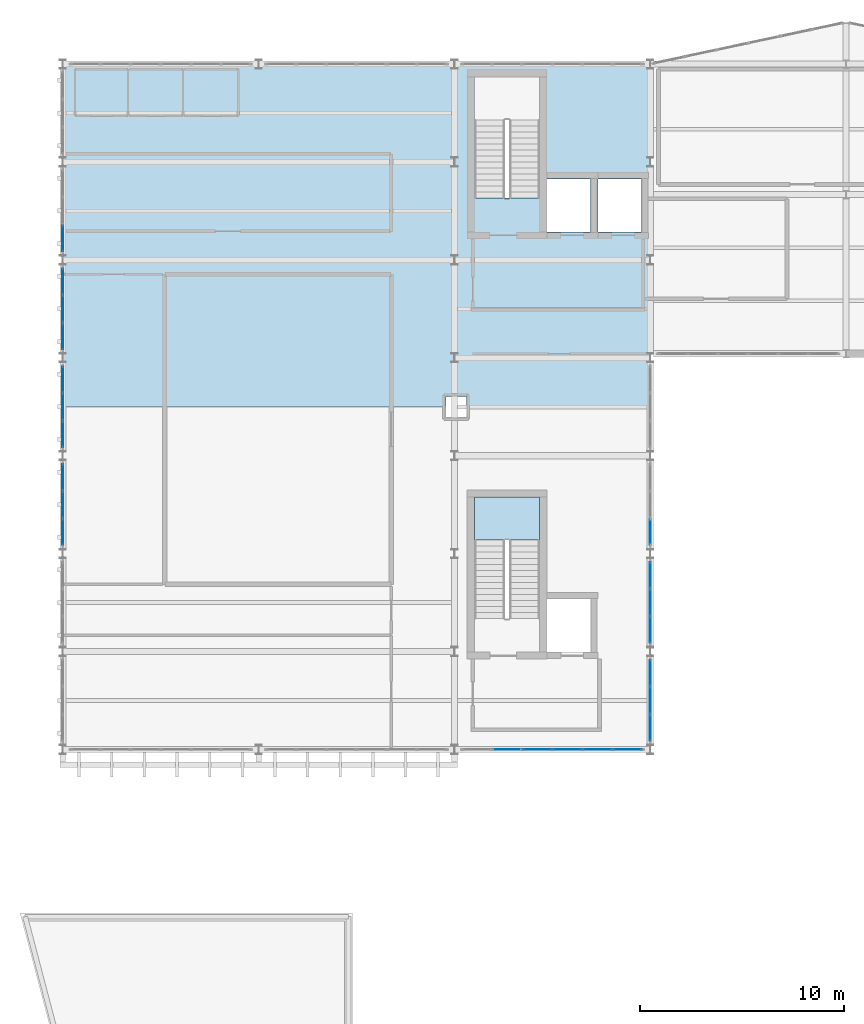
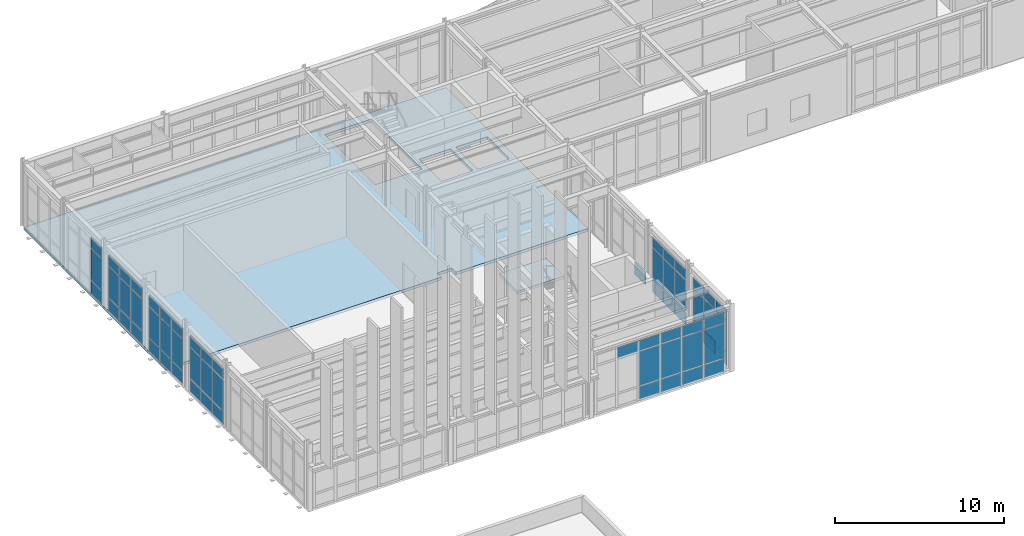
# One storey, part 17 of 28: 62 plates, 2 slabs, 9 elements without a shape of their own.
"""IFC4 building model written with IfcOpenShell, lengths in metres."""

import ifcopenshell
import ifcopenshell.guid

model = None  # the IFC model being written
_history = None  # IfcOwnerHistory: only IFC2X3 demands one
_inside = {}  # id of a spatial element -> (the spatial element, [elements in it])
_under = {}  # id of a project, library or spatial element -> (it, [spatial elements below it])
_declared = {}  # id of a project -> (the project, [libraries it declares])
_typed = {}  # id of a type object -> (the type object, [elements of that type])
_made_of = {}  # id of a material, layer set ... -> (it, [elements and type objects made of it])


def new_model(schema):
    """Start an empty IFC model of exactly this schema.

    Asked for "IFC4X3", IfcOpenShell would pick the latest addendum, in which some entities
    have other attributes; the version numbers below select the first issue.
    IFC2X3 requires an IfcOwnerHistory on every rooted entity: one is made here for all.
    """
    global model, _history
    if schema == "IFC4X3":
        model = ifcopenshell.file(schema_version=(4, 3, 0, 0))
    else:
        model = ifcopenshell.file(schema=schema)
    _inside.clear()
    _under.clear()
    _declared.clear()
    _typed.clear()
    _made_of.clear()
    _history = None
    if model.schema == "IFC2X3":
        org = make("IfcOrganization", Name="unknown")
        user = make(
            "IfcPersonAndOrganization",
            ThePerson=make("IfcPerson", FamilyName="unknown"),
            TheOrganization=org,
        )
        app = make(
            "IfcApplication",
            ApplicationDeveloper=org,
            Version="unknown",
            ApplicationFullName="unknown",
            ApplicationIdentifier="unknown",
        )
        _history = make(
            "IfcOwnerHistory",
            OwningUser=user,
            OwningApplication=app,
            ChangeAction="ADDED",
            CreationDate=0,
        )
    return model


def make(cls, **values):
    """One entity of the class cls with the attributes given. An attribute that is None is left unset."""
    return model.create_entity(
        cls, **{name: value for name, value in values.items() if value is not None}
    )


def rooted(cls, **values):
    """An entity with a GlobalId (a new one), such as an element, a storey or a relation."""
    return make(cls, GlobalId=ifcopenshell.guid.new(), OwnerHistory=_history, **values)


def si_unit(unit_type, name, prefix=None):
    """IfcSIUnit, for example si_unit("LENGTHUNIT", "METRE", prefix="MILLI")."""
    return make("IfcSIUnit", UnitType=unit_type, Prefix=prefix, Name=name)


def assignment(units):
    """IfcUnitAssignment: the units of a project."""
    return None if units is None else make("IfcUnitAssignment", Units=units)


def point(xyz):
    """IfcCartesianPoint."""
    return None if xyz is None else make("IfcCartesianPoint", Coordinates=xyz)


def direction(xyz):
    """IfcDirection."""
    return None if xyz is None else make("IfcDirection", DirectionRatios=xyz)


def frame(location, z_axis=None, x_axis=None):
    """IfcAxis2Placement3D, a coordinate frame: its origin and axes. An axis left out is left unset."""
    return make(
        "IfcAxis2Placement3D",
        Location=point(location),
        Axis=direction(z_axis),
        RefDirection=direction(x_axis),
    )


def frame_2d(location, x_axis=None):
    """IfcAxis2Placement2D, a coordinate frame in the plane: its origin and x axis."""
    return make(
        "IfcAxis2Placement2D", Location=point(location), RefDirection=direction(x_axis)
    )


def origin():
    """The frame at (0, 0, 0) with its axes left unset."""
    return frame((0.0, 0.0, 0.0))


def origin_2d():
    """The frame at (0, 0) in the plane with its x axis left unset."""
    return frame_2d((0.0, 0.0))


def place(relative_to, where):
    """IfcLocalPlacement: puts the frame where relative to a parent placement (None: the world)."""
    return make(
        "IfcLocalPlacement", PlacementRelTo=relative_to, RelativePlacement=where
    )


def context(
    kind, dimensions, precision=None, world=None, true_north=None, identifier=None
):
    """IfcGeometricRepresentationContext, for example the 3D "Model" context."""
    return make(
        "IfcGeometricRepresentationContext",
        ContextIdentifier=identifier,
        ContextType=kind,
        CoordinateSpaceDimension=dimensions,
        Precision=precision,
        WorldCoordinateSystem=world,
        TrueNorth=true_north,
    )


def subcontext(parent, identifier, kind, view, scale=None):
    """IfcGeometricRepresentationSubContext, for example "Body" below "Model"."""
    return make(
        "IfcGeometricRepresentationSubContext",
        ContextIdentifier=identifier,
        ContextType=kind,
        ParentContext=parent,
        TargetScale=scale,
        TargetView=view,
    )


def project(units=None, contexts=None):
    """IfcProject with its units and contexts."""
    return rooted(
        "IfcProject",
        Name="project",
        RepresentationContexts=contexts,
        UnitsInContext=assignment(units),
    )


def spatial(cls, under=None, at=None, **own):
    """A site, building, storey or space (cls), placed at a placement, below another one or the project."""
    s = rooted(cls, ObjectPlacement=at, **own)
    if under is not None:
        _under.setdefault(under.id(), (under, []))[1].append(s)
    return s


def polyline(points):
    """IfcPolyline through the points."""
    return make("IfcPolyline", Points=[point(p) for p in points])


def profile(cls, at=None, kind="AREA", **sizes):
    """A parametric profile (cls). Its sizes go by their IFC names, for example OverallWidth=200.0."""
    return make(cls, ProfileType=kind, Position=at, **sizes)


def rectangle(**sizes):
    """IfcRectangleProfileDef."""
    return profile("IfcRectangleProfileDef", **sizes)


def outline(outer, holes=None, kind="AREA"):
    """IfcArbitraryClosedProfileDef: a profile drawn as a closed curve; with holes, ...WithVoids."""
    if holes is None:
        return make("IfcArbitraryClosedProfileDef", ProfileType=kind, OuterCurve=outer)
    return make(
        "IfcArbitraryProfileDefWithVoids",
        ProfileType=kind,
        OuterCurve=outer,
        InnerCurves=holes,
    )


def extrude(swept, where, along, depth):
    """IfcExtrudedAreaSolid: the profile swept, set in the frame where, extruded along a direction by depth."""
    return make(
        "IfcExtrudedAreaSolid",
        SweptArea=swept,
        Position=where,
        ExtrudedDirection=direction(along),
        Depth=depth,
    )


def shape(context_of_items, identifier, shape_type, items):
    """IfcShapeRepresentation: the items that make up one representation, for example the "Body"."""
    return make(
        "IfcShapeRepresentation",
        ContextOfItems=context_of_items,
        RepresentationIdentifier=identifier,
        RepresentationType=shape_type,
        Items=items,
    )


def material(Name=None, Category=None):
    """IfcMaterial."""
    return make("IfcMaterial", Name=Name, Category=Category)


def layer(
    of_material, thickness, ventilated=None, Name=None, Category=None, Priority=None
):
    """IfcMaterialLayer: one layer of a wall or slab, of a material (None: an air gap)."""
    return make(
        "IfcMaterialLayer",
        Material=of_material,
        LayerThickness=thickness,
        IsVentilated=ventilated,
        Name=Name,
        Category=Category,
        Priority=Priority,
    )


def layer_set(layers, Name=None):
    """IfcMaterialLayerSet."""
    return make("IfcMaterialLayerSet", MaterialLayers=layers, LayerSetName=Name)


def made_of(thing, what):
    """Note that an element or type object is made of a material, layer set ...; save() writes the relation."""
    if what is not None:
        _made_of.setdefault(what.id(), (what, []))[1].append(thing)
    return thing


def type_object(cls, material=None, **own):
    """A type object (cls), such as IfcWallType, which elements share."""
    return made_of(rooted(cls, **own), material)


def element(
    cls,
    number,
    at=None,
    inside=None,
    cuts=None,
    type_object=None,
    material=None,
    context=None,
    identifier="Body",
    shape_type=None,
    held_by="IfcProductDefinitionShape",
    body=None,
    shapes=None,
    **own,
):
    """One element of the class cls, such as IfcWall. Its Tag is "e" and its number.

    at: its placement. inside: the storey or other place that contains it. cuts: it is an
    opening in that element (IfcRelVoidsElement). A single representation is given by context,
    identifier, shape_type and body (its items); several are given by shapes. held_by: the class
    of the entity that holds the representations. save() writes the other relations.
    """
    e = rooted(cls, Tag="e%d" % number, ObjectPlacement=at, **own)
    if body is not None:
        shapes = [shape(context, identifier, shape_type, body)]
    if shapes is not None:
        e.Representation = make(held_by, Representations=shapes)
    if inside is not None:
        _inside.setdefault(inside.id(), (inside, []))[1].append(e)
    if cuts is not None:
        rooted(
            "IfcRelVoidsElement", RelatingBuildingElement=cuts, RelatedOpeningElement=e
        )
    if type_object is not None:
        _typed.setdefault(type_object.id(), (type_object, []))[1].append(e)
    return made_of(e, material)


def aggregate(whole, parts):
    """IfcRelAggregates: a whole, such as a stair, and the parts it consists of."""
    return rooted("IfcRelAggregates", RelatingObject=whole, RelatedObjects=parts)


def save(model, path):
    """Write the relations noted so far, then the file.

    IfcRelAggregates (storeys below a building ...), IfcRelContainedInSpatialStructure (elements
    in a storey), IfcRelDefinesByType, IfcRelAssociatesMaterial and IfcRelDeclares: one each for
    every whole, place, type object, material and project.
    """
    for whole, parts in _under.values():
        aggregate(whole, parts)
    for where, things in _inside.values():
        rooted(
            "IfcRelContainedInSpatialStructure",
            RelatedElements=things,
            RelatingStructure=where,
        )
    for kind, things in _typed.values():
        rooted("IfcRelDefinesByType", RelatedObjects=things, RelatingType=kind)
    for what, things in _made_of.values():
        rooted("IfcRelAssociatesMaterial", RelatedObjects=things, RelatingMaterial=what)
    for by, libraries in _declared.values():
        rooted("IfcRelDeclares", RelatingContext=by, RelatedDefinitions=libraries)
    model.write(path)


model = new_model("IFC4")

# Units and contexts
model_context = context("Model", 3, precision=1e-05, world=origin(), true_north=direction((0.0, 1.0)))
body_context = subcontext(model_context, "Body", "Model", "MODEL_VIEW")
ifc_project = project(units=[si_unit("LENGTHUNIT", "METRE"), si_unit("AREAUNIT", "SQUARE_METRE"), si_unit("VOLUMEUNIT", "CUBIC_METRE"), si_unit("PLANEANGLEUNIT", "RADIAN"), si_unit("MASSUNIT", "GRAM", prefix="KILO")], contexts=[model_context])

# Site, building, storey
site_placement = place(None, origin())
site = spatial("IfcSite", under=ifc_project, at=site_placement, CompositionType="ELEMENT")
building_placement = place(site_placement, origin())
building = spatial("IfcBuilding", under=site, at=building_placement, Name="Nordkorset Police Headquarters", CompositionType="ELEMENT")
storey_placement = place(building_placement, frame((0.0, 0.0, 26.25)))
storey = spatial("IfcBuildingStorey", under=building, at=storey_placement, Name="L06", CompositionType="ELEMENT", Elevation=26.25)

# Curtain wall, plates
ifc_material_1 = material(Name="Aluminium alloy AW-6060", Category="aluminium")
ifc_layer_1 = layer(ifc_material_1, 0.179931640625, Name="Aluminium alloy AW-6060")
ifc_layer_set_1 = layer_set([ifc_layer_1], Name="Aluminium alloy AW-6060")
curtain_wall_type_1 = type_object("IfcCurtainWallType", Name="CW_Unit_408x415", PredefinedType="USERDEFINED", material=ifc_layer_set_1)
curtain_wall_1_placement = place(storey_placement, origin())
curtain_wall_1 = element("IfcCurtainWall", 1, at=curtain_wall_1_placement, inside=storey, type_object=curtain_wall_type_1, Name="Unitised Curtain Wall L06 V1W-2", ObjectType="UNITISED CURTAIN WALL", PredefinedType="USERDEFINED")
ifc_material_2 = material(Name="Low-iron triple glazing", Category="glass")
ifc_layer_2 = layer(ifc_material_2, 0.035888671875, Name="Low-iron triple glazing")
ifc_layer_set_2 = layer_set([ifc_layer_2], Name="Low-iron triple glazing")
plate_type = type_object("IfcPlateType", Name="CW_Panel_TripleGlazing_36", PredefinedType="CURTAIN_PANEL", material=ifc_layer_set_2)
plate_1_placement = place(storey_placement, frame((0.0, 93.856201171875, 0.06494140625), z_axis=(0.0, 0.0, 1.0), x_axis=(0.0, 1.0, 0.0)))
plate_1 = element("IfcPlate", 2, at=plate_1_placement, type_object=plate_type, Name="CW-101 panel 1.1", PredefinedType="CURTAIN_PANEL", context=body_context, shape_type="SweptSolid", body=[
    extrude(rectangle(XDim=1.262451171875, YDim=0.035888671875, at=origin_2d()), origin(), (0.0, 0.0, 1.0), 0.902587890625),
])
plate_2_placement = place(storey_placement, frame((0.0, 93.856201171875, 1.0322265625), z_axis=(0.0, 0.0, 1.0), x_axis=(0.0, 1.0, 0.0)))
plate_2 = element("IfcPlate", 3, at=plate_2_placement, type_object=plate_type, Name="CW-101 panel 1.2", PredefinedType="CURTAIN_PANEL", context=body_context, shape_type="SweptSolid", body=[
    extrude(rectangle(XDim=1.262451171875, YDim=0.035888671875, at=origin_2d()), origin(), (0.0, 0.0, 1.0), 2.235107421875),
])
plate_3_placement = place(storey_placement, frame((0.0, 93.856201171875, 3.33251953125), z_axis=(0.0, 0.0, 1.0), x_axis=(0.0, 1.0, 0.0)))
plate_3 = element("IfcPlate", 4, at=plate_3_placement, type_object=plate_type, Name="CW-101 panel 1.3", PredefinedType="CURTAIN_PANEL", context=body_context, shape_type="SweptSolid", body=[
    extrude(rectangle(XDim=1.262451171875, YDim=0.035888671875, at=origin_2d()), origin(), (0.0, 0.0, 1.0), 0.75244140625),
])
plate_4_placement = place(storey_placement, frame((0.0, 95.199951171875, 0.06494140625), z_axis=(0.0, 0.0, 1.0), x_axis=(0.0, 1.0, 0.0)))
plate_4 = element("IfcPlate", 5, at=plate_4_placement, type_object=plate_type, Name="CW-101 panel 2.1", PredefinedType="CURTAIN_PANEL", context=body_context, shape_type="SweptSolid", body=[
    extrude(rectangle(XDim=1.294921875, YDim=0.035888671875, at=origin_2d()), origin(), (0.0, 0.0, 1.0), 0.902587890625),
])
plate_5_placement = place(storey_placement, frame((0.0, 95.199951171875, 1.0322265625), z_axis=(0.0, 0.0, 1.0), x_axis=(0.0, 1.0, 0.0)))
plate_5 = element("IfcPlate", 6, at=plate_5_placement, type_object=plate_type, Name="CW-101 panel 2.2", PredefinedType="CURTAIN_PANEL", context=body_context, shape_type="SweptSolid", body=[
    extrude(rectangle(XDim=1.294921875, YDim=0.035888671875, at=origin_2d()), origin(), (0.0, 0.0, 1.0), 2.235107421875),
])
plate_6_placement = place(storey_placement, frame((0.0, 95.199951171875, 3.33251953125), z_axis=(0.0, 0.0, 1.0), x_axis=(0.0, 1.0, 0.0)))
plate_6 = element("IfcPlate", 7, at=plate_6_placement, type_object=plate_type, Name="CW-101 panel 2.3", PredefinedType="CURTAIN_PANEL", context=body_context, shape_type="SweptSolid", body=[
    extrude(rectangle(XDim=1.294921875, YDim=0.035888671875, at=origin_2d()), origin(), (0.0, 0.0, 1.0), 0.75244140625),
])
plate_7_placement = place(storey_placement, frame((0.0, 96.543701171875, 0.06494140625), z_axis=(0.0, 0.0, 1.0), x_axis=(0.0, 1.0, 0.0)))
plate_7 = element("IfcPlate", 8, at=plate_7_placement, type_object=plate_type, Name="CW-101 panel 3.1", PredefinedType="CURTAIN_PANEL", context=body_context, shape_type="SweptSolid", body=[
    extrude(rectangle(XDim=1.262451171875, YDim=0.035888671875, at=origin_2d()), origin(), (0.0, 0.0, 1.0), 0.902587890625),
])
plate_8_placement = place(storey_placement, frame((0.0, 96.543701171875, 1.0322265625), z_axis=(0.0, 0.0, 1.0), x_axis=(0.0, 1.0, 0.0)))
plate_8 = element("IfcPlate", 9, at=plate_8_placement, type_object=plate_type, Name="CW-101 panel 3.2", PredefinedType="CURTAIN_PANEL", context=body_context, shape_type="SweptSolid", body=[
    extrude(rectangle(XDim=1.262451171875, YDim=0.035888671875, at=origin_2d()), origin(), (0.0, 0.0, 1.0), 2.235107421875),
])
plate_9_placement = place(storey_placement, frame((0.0, 96.543701171875, 3.33251953125), z_axis=(0.0, 0.0, 1.0), x_axis=(0.0, 1.0, 0.0)))
plate_9 = element("IfcPlate", 10, at=plate_9_placement, type_object=plate_type, Name="CW-101 panel 3.3", PredefinedType="CURTAIN_PANEL", context=body_context, shape_type="SweptSolid", body=[
    extrude(rectangle(XDim=1.262451171875, YDim=0.035888671875, at=origin_2d()), origin(), (0.0, 0.0, 1.0), 0.75244140625),
])
aggregate(curtain_wall_1, [plate_1, plate_2, plate_3, plate_4, plate_5, plate_6, plate_7, plate_8, plate_9])

curtain_wall_2_placement = place(storey_placement, origin())
curtain_wall_2 = element("IfcCurtainWall", 11, at=curtain_wall_2_placement, inside=storey, type_object=curtain_wall_type_1, Name="Unitised Curtain Wall L06 V1W-3", ObjectType="UNITISED CURTAIN WALL", PredefinedType="USERDEFINED")
plate_10_placement = place(storey_placement, frame((0.0, 98.65625, 0.06494140625), z_axis=(0.0, 0.0, 1.0), x_axis=(0.0, 1.0, 0.0)))
plate_10 = element("IfcPlate", 12, at=plate_10_placement, type_object=plate_type, Name="CW-101 panel 1.1", PredefinedType="CURTAIN_PANEL", context=body_context, shape_type="SweptSolid", body=[
    extrude(rectangle(XDim=1.262451171875, YDim=0.035888671875, at=origin_2d()), origin(), (0.0, 0.0, 1.0), 0.902587890625),
])
plate_11_placement = place(storey_placement, frame((0.0, 98.65625, 1.0322265625), z_axis=(0.0, 0.0, 1.0), x_axis=(0.0, 1.0, 0.0)))
plate_11 = element("IfcPlate", 13, at=plate_11_placement, type_object=plate_type, Name="CW-101 panel 1.2", PredefinedType="CURTAIN_PANEL", context=body_context, shape_type="SweptSolid", body=[
    extrude(rectangle(XDim=1.262451171875, YDim=0.035888671875, at=origin_2d()), origin(), (0.0, 0.0, 1.0), 2.235107421875),
])
plate_12_placement = place(storey_placement, frame((0.0, 98.65625, 3.33251953125), z_axis=(0.0, 0.0, 1.0), x_axis=(0.0, 1.0, 0.0)))
plate_12 = element("IfcPlate", 14, at=plate_12_placement, type_object=plate_type, Name="CW-101 panel 1.3", PredefinedType="CURTAIN_PANEL", context=body_context, shape_type="SweptSolid", body=[
    extrude(rectangle(XDim=1.262451171875, YDim=0.035888671875, at=origin_2d()), origin(), (0.0, 0.0, 1.0), 0.75244140625),
])
plate_13_placement = place(storey_placement, frame((0.0, 100.0, 0.06494140625), z_axis=(0.0, 0.0, 1.0), x_axis=(0.0, 1.0, 0.0)))
plate_13 = element("IfcPlate", 15, at=plate_13_placement, type_object=plate_type, Name="CW-101 panel 2.1", PredefinedType="CURTAIN_PANEL", context=body_context, shape_type="SweptSolid", body=[
    extrude(rectangle(XDim=1.294921875, YDim=0.035888671875, at=origin_2d()), origin(), (0.0, 0.0, 1.0), 0.902587890625),
])
plate_14_placement = place(storey_placement, frame((0.0, 100.0, 1.0322265625), z_axis=(0.0, 0.0, 1.0), x_axis=(0.0, 1.0, 0.0)))
plate_14 = element("IfcPlate", 16, at=plate_14_placement, type_object=plate_type, Name="CW-101 panel 2.2", PredefinedType="CURTAIN_PANEL", context=body_context, shape_type="SweptSolid", body=[
    extrude(rectangle(XDim=1.294921875, YDim=0.035888671875, at=origin_2d()), origin(), (0.0, 0.0, 1.0), 2.235107421875),
])
plate_15_placement = place(storey_placement, frame((0.0, 100.0, 3.33251953125), z_axis=(0.0, 0.0, 1.0), x_axis=(0.0, 1.0, 0.0)))
plate_15 = element("IfcPlate", 17, at=plate_15_placement, type_object=plate_type, Name="CW-101 panel 2.3", PredefinedType="CURTAIN_PANEL", context=body_context, shape_type="SweptSolid", body=[
    extrude(rectangle(XDim=1.294921875, YDim=0.035888671875, at=origin_2d()), origin(), (0.0, 0.0, 1.0), 0.75244140625),
])
plate_16_placement = place(storey_placement, frame((0.0, 101.34375, 0.06494140625), z_axis=(0.0, 0.0, 1.0), x_axis=(0.0, 1.0, 0.0)))
plate_16 = element("IfcPlate", 18, at=plate_16_placement, type_object=plate_type, Name="CW-101 panel 3.1", PredefinedType="CURTAIN_PANEL", context=body_context, shape_type="SweptSolid", body=[
    extrude(rectangle(XDim=1.262451171875, YDim=0.035888671875, at=origin_2d()), origin(), (0.0, 0.0, 1.0), 0.902587890625),
])
plate_17_placement = place(storey_placement, frame((0.0, 101.34375, 1.0322265625), z_axis=(0.0, 0.0, 1.0), x_axis=(0.0, 1.0, 0.0)))
plate_17 = element("IfcPlate", 19, at=plate_17_placement, type_object=plate_type, Name="CW-101 panel 3.2", PredefinedType="CURTAIN_PANEL", context=body_context, shape_type="SweptSolid", body=[
    extrude(rectangle(XDim=1.262451171875, YDim=0.035888671875, at=origin_2d()), origin(), (0.0, 0.0, 1.0), 2.235107421875),
])
plate_18_placement = place(storey_placement, frame((0.0, 101.34375, 3.33251953125), z_axis=(0.0, 0.0, 1.0), x_axis=(0.0, 1.0, 0.0)))
plate_18 = element("IfcPlate", 20, at=plate_18_placement, type_object=plate_type, Name="CW-101 panel 3.3", PredefinedType="CURTAIN_PANEL", context=body_context, shape_type="SweptSolid", body=[
    extrude(rectangle(XDim=1.262451171875, YDim=0.035888671875, at=origin_2d()), origin(), (0.0, 0.0, 1.0), 0.75244140625),
])
aggregate(curtain_wall_2, [plate_10, plate_11, plate_12, plate_13, plate_14, plate_15, plate_16, plate_17, plate_18])

curtain_wall_3_placement = place(storey_placement, origin())
curtain_wall_3 = element("IfcCurtainWall", 21, at=curtain_wall_3_placement, inside=storey, type_object=curtain_wall_type_1, Name="Unitised Curtain Wall L06 V1W-4", ObjectType="UNITISED CURTAIN WALL", PredefinedType="USERDEFINED")
plate_19_placement = place(storey_placement, frame((0.0, 103.456298828125, 0.06494140625), z_axis=(0.0, 0.0, 1.0), x_axis=(0.0, 1.0, 0.0)))
plate_19 = element("IfcPlate", 22, at=plate_19_placement, type_object=plate_type, Name="CW-101 panel 1.1", PredefinedType="CURTAIN_PANEL", context=body_context, shape_type="SweptSolid", body=[
    extrude(rectangle(XDim=1.262451171875, YDim=0.035888671875, at=origin_2d()), origin(), (0.0, 0.0, 1.0), 0.902587890625),
])
plate_20_placement = place(storey_placement, frame((0.0, 103.456298828125, 1.0322265625), z_axis=(0.0, 0.0, 1.0), x_axis=(0.0, 1.0, 0.0)))
plate_20 = element("IfcPlate", 23, at=plate_20_placement, type_object=plate_type, Name="CW-101 panel 1.2", PredefinedType="CURTAIN_PANEL", context=body_context, shape_type="SweptSolid", body=[
    extrude(rectangle(XDim=1.262451171875, YDim=0.035888671875, at=origin_2d()), origin(), (0.0, 0.0, 1.0), 2.235107421875),
])
plate_21_placement = place(storey_placement, frame((0.0, 103.456298828125, 3.33251953125), z_axis=(0.0, 0.0, 1.0), x_axis=(0.0, 1.0, 0.0)))
plate_21 = element("IfcPlate", 24, at=plate_21_placement, type_object=plate_type, Name="CW-101 panel 1.3", PredefinedType="CURTAIN_PANEL", context=body_context, shape_type="SweptSolid", body=[
    extrude(rectangle(XDim=1.262451171875, YDim=0.035888671875, at=origin_2d()), origin(), (0.0, 0.0, 1.0), 0.75244140625),
])
plate_22_placement = place(storey_placement, frame((0.0, 104.800048828125, 0.06494140625), z_axis=(0.0, 0.0, 1.0), x_axis=(0.0, 1.0, 0.0)))
plate_22 = element("IfcPlate", 25, at=plate_22_placement, type_object=plate_type, Name="CW-101 panel 2.1", PredefinedType="CURTAIN_PANEL", context=body_context, shape_type="SweptSolid", body=[
    extrude(rectangle(XDim=1.294921875, YDim=0.035888671875, at=origin_2d()), origin(), (0.0, 0.0, 1.0), 0.902587890625),
])
plate_23_placement = place(storey_placement, frame((0.0, 104.800048828125, 1.0322265625), z_axis=(0.0, 0.0, 1.0), x_axis=(0.0, 1.0, 0.0)))
plate_23 = element("IfcPlate", 26, at=plate_23_placement, type_object=plate_type, Name="CW-101 panel 2.2", PredefinedType="CURTAIN_PANEL", context=body_context, shape_type="SweptSolid", body=[
    extrude(rectangle(XDim=1.294921875, YDim=0.035888671875, at=origin_2d()), origin(), (0.0, 0.0, 1.0), 2.235107421875),
])
plate_24_placement = place(storey_placement, frame((0.0, 104.800048828125, 3.33251953125), z_axis=(0.0, 0.0, 1.0), x_axis=(0.0, 1.0, 0.0)))
plate_24 = element("IfcPlate", 27, at=plate_24_placement, type_object=plate_type, Name="CW-101 panel 2.3", PredefinedType="CURTAIN_PANEL", context=body_context, shape_type="SweptSolid", body=[
    extrude(rectangle(XDim=1.294921875, YDim=0.035888671875, at=origin_2d()), origin(), (0.0, 0.0, 1.0), 0.75244140625),
])
plate_25_placement = place(storey_placement, frame((0.0, 106.143798828125, 0.06494140625), z_axis=(0.0, 0.0, 1.0), x_axis=(0.0, 1.0, 0.0)))
plate_25 = element("IfcPlate", 28, at=plate_25_placement, type_object=plate_type, Name="CW-101 panel 3.1", PredefinedType="CURTAIN_PANEL", context=body_context, shape_type="SweptSolid", body=[
    extrude(rectangle(XDim=1.262451171875, YDim=0.035888671875, at=origin_2d()), origin(), (0.0, 0.0, 1.0), 0.902587890625),
])
plate_26_placement = place(storey_placement, frame((0.0, 106.143798828125, 1.0322265625), z_axis=(0.0, 0.0, 1.0), x_axis=(0.0, 1.0, 0.0)))
plate_26 = element("IfcPlate", 29, at=plate_26_placement, type_object=plate_type, Name="CW-101 panel 3.2", PredefinedType="CURTAIN_PANEL", context=body_context, shape_type="SweptSolid", body=[
    extrude(rectangle(XDim=1.262451171875, YDim=0.035888671875, at=origin_2d()), origin(), (0.0, 0.0, 1.0), 2.235107421875),
])
plate_27_placement = place(storey_placement, frame((0.0, 106.143798828125, 3.33251953125), z_axis=(0.0, 0.0, 1.0), x_axis=(0.0, 1.0, 0.0)))
plate_27 = element("IfcPlate", 30, at=plate_27_placement, type_object=plate_type, Name="CW-101 panel 3.3", PredefinedType="CURTAIN_PANEL", context=body_context, shape_type="SweptSolid", body=[
    extrude(rectangle(XDim=1.262451171875, YDim=0.035888671875, at=origin_2d()), origin(), (0.0, 0.0, 1.0), 0.75244140625),
])
aggregate(curtain_wall_3, [plate_19, plate_20, plate_21, plate_22, plate_23, plate_24, plate_25, plate_26, plate_27])

curtain_wall_4_placement = place(storey_placement, origin())
curtain_wall_4 = element("IfcCurtainWall", 31, at=curtain_wall_4_placement, inside=storey, type_object=curtain_wall_type_1, Name="Unitised Curtain Wall L06 V1W-5", ObjectType="UNITISED CURTAIN WALL", PredefinedType="USERDEFINED")
plate_28_placement = place(storey_placement, frame((0.0, 108.25634765625, 0.06494140625), z_axis=(0.0, 0.0, 1.0), x_axis=(0.0, 1.0, 0.0)))
plate_28 = element("IfcPlate", 32, at=plate_28_placement, type_object=plate_type, Name="CW-101 panel 1.1", PredefinedType="CURTAIN_PANEL", context=body_context, shape_type="SweptSolid", body=[
    extrude(rectangle(XDim=1.262451171875, YDim=0.035888671875, at=origin_2d()), origin(), (0.0, 0.0, 1.0), 0.902587890625),
])
plate_29_placement = place(storey_placement, frame((0.0, 108.25634765625, 1.0322265625), z_axis=(0.0, 0.0, 1.0), x_axis=(0.0, 1.0, 0.0)))
plate_29 = element("IfcPlate", 33, at=plate_29_placement, type_object=plate_type, Name="CW-101 panel 1.2", PredefinedType="CURTAIN_PANEL", context=body_context, shape_type="SweptSolid", body=[
    extrude(rectangle(XDim=1.262451171875, YDim=0.035888671875, at=origin_2d()), origin(), (0.0, 0.0, 1.0), 2.235107421875),
])
plate_30_placement = place(storey_placement, frame((0.0, 108.25634765625, 3.33251953125), z_axis=(0.0, 0.0, 1.0), x_axis=(0.0, 1.0, 0.0)))
plate_30 = element("IfcPlate", 34, at=plate_30_placement, type_object=plate_type, Name="CW-101 panel 1.3", PredefinedType="CURTAIN_PANEL", context=body_context, shape_type="SweptSolid", body=[
    extrude(rectangle(XDim=1.262451171875, YDim=0.035888671875, at=origin_2d()), origin(), (0.0, 0.0, 1.0), 0.75244140625),
])
aggregate(curtain_wall_4, [plate_28, plate_29, plate_30])

curtain_wall_5_placement = place(storey_placement, origin())
curtain_wall_5 = element("IfcCurtainWall", 35, at=curtain_wall_5_placement, inside=storey, type_object=curtain_wall_type_1, Name="Unitised Curtain Wall L06 V1E-0", ObjectType="UNITISED CURTAIN WALL", PredefinedType="USERDEFINED")
plate_31_placement = place(storey_placement, frame((28.800048828125, 84.25634765625, 0.06494140625), z_axis=(0.0, 0.0, 1.0), x_axis=(0.0, 1.0, 0.0)))
plate_31 = element("IfcPlate", 36, at=plate_31_placement, type_object=plate_type, Name="CW-101 panel 1.1", PredefinedType="CURTAIN_PANEL", context=body_context, shape_type="SweptSolid", body=[
    extrude(rectangle(XDim=1.262451171875, YDim=0.035888671875, at=origin_2d()), origin(), (0.0, 0.0, 1.0), 0.902587890625),
])
plate_32_placement = place(storey_placement, frame((28.800048828125, 84.25634765625, 1.0322265625), z_axis=(0.0, 0.0, 1.0), x_axis=(0.0, 1.0, 0.0)))
plate_32 = element("IfcPlate", 37, at=plate_32_placement, type_object=plate_type, Name="CW-101 panel 1.2", PredefinedType="CURTAIN_PANEL", context=body_context, shape_type="SweptSolid", body=[
    extrude(rectangle(XDim=1.262451171875, YDim=0.035888671875, at=origin_2d()), origin(), (0.0, 0.0, 1.0), 2.235107421875),
])
plate_33_placement = place(storey_placement, frame((28.800048828125, 84.25634765625, 3.33251953125), z_axis=(0.0, 0.0, 1.0), x_axis=(0.0, 1.0, 0.0)))
plate_33 = element("IfcPlate", 38, at=plate_33_placement, type_object=plate_type, Name="CW-101 panel 1.3", PredefinedType="CURTAIN_PANEL", context=body_context, shape_type="SweptSolid", body=[
    extrude(rectangle(XDim=1.262451171875, YDim=0.035888671875, at=origin_2d()), origin(), (0.0, 0.0, 1.0), 0.75244140625),
])
plate_34_placement = place(storey_placement, frame((28.800048828125, 85.60009765625, 0.06494140625), z_axis=(0.0, 0.0, 1.0), x_axis=(0.0, 1.0, 0.0)))
plate_34 = element("IfcPlate", 39, at=plate_34_placement, type_object=plate_type, Name="CW-101 panel 2.1", PredefinedType="CURTAIN_PANEL", context=body_context, shape_type="SweptSolid", body=[
    extrude(rectangle(XDim=1.294921875, YDim=0.035888671875, at=origin_2d()), origin(), (0.0, 0.0, 1.0), 0.902587890625),
])
plate_35_placement = place(storey_placement, frame((28.800048828125, 85.60009765625, 1.0322265625), z_axis=(0.0, 0.0, 1.0), x_axis=(0.0, 1.0, 0.0)))
plate_35 = element("IfcPlate", 40, at=plate_35_placement, type_object=plate_type, Name="CW-101 panel 2.2", PredefinedType="CURTAIN_PANEL", context=body_context, shape_type="SweptSolid", body=[
    extrude(rectangle(XDim=1.294921875, YDim=0.035888671875, at=origin_2d()), origin(), (0.0, 0.0, 1.0), 2.235107421875),
])
plate_36_placement = place(storey_placement, frame((28.800048828125, 85.60009765625, 3.33251953125), z_axis=(0.0, 0.0, 1.0), x_axis=(0.0, 1.0, 0.0)))
plate_36 = element("IfcPlate", 41, at=plate_36_placement, type_object=plate_type, Name="CW-101 panel 2.3", PredefinedType="CURTAIN_PANEL", context=body_context, shape_type="SweptSolid", body=[
    extrude(rectangle(XDim=1.294921875, YDim=0.035888671875, at=origin_2d()), origin(), (0.0, 0.0, 1.0), 0.75244140625),
])
plate_37_placement = place(storey_placement, frame((28.800048828125, 86.94384765625, 0.06494140625), z_axis=(0.0, 0.0, 1.0), x_axis=(0.0, 1.0, 0.0)))
plate_37 = element("IfcPlate", 42, at=plate_37_placement, type_object=plate_type, Name="CW-101 panel 3.1", PredefinedType="CURTAIN_PANEL", context=body_context, shape_type="SweptSolid", body=[
    extrude(rectangle(XDim=1.262451171875, YDim=0.035888671875, at=origin_2d()), origin(), (0.0, 0.0, 1.0), 0.902587890625),
])
plate_38_placement = place(storey_placement, frame((28.800048828125, 86.94384765625, 1.0322265625), z_axis=(0.0, 0.0, 1.0), x_axis=(0.0, 1.0, 0.0)))
plate_38 = element("IfcPlate", 43, at=plate_38_placement, type_object=plate_type, Name="CW-101 panel 3.2", PredefinedType="CURTAIN_PANEL", context=body_context, shape_type="SweptSolid", body=[
    extrude(rectangle(XDim=1.262451171875, YDim=0.035888671875, at=origin_2d()), origin(), (0.0, 0.0, 1.0), 2.235107421875),
])
plate_39_placement = place(storey_placement, frame((28.800048828125, 86.94384765625, 3.33251953125), z_axis=(0.0, 0.0, 1.0), x_axis=(0.0, 1.0, 0.0)))
plate_39 = element("IfcPlate", 44, at=plate_39_placement, type_object=plate_type, Name="CW-101 panel 3.3", PredefinedType="CURTAIN_PANEL", context=body_context, shape_type="SweptSolid", body=[
    extrude(rectangle(XDim=1.262451171875, YDim=0.035888671875, at=origin_2d()), origin(), (0.0, 0.0, 1.0), 0.75244140625),
])
aggregate(curtain_wall_5, [plate_31, plate_32, plate_33, plate_34, plate_35, plate_36, plate_37, plate_38, plate_39])

curtain_wall_6_placement = place(storey_placement, origin())
curtain_wall_6 = element("IfcCurtainWall", 45, at=curtain_wall_6_placement, inside=storey, type_object=curtain_wall_type_1, Name="Unitised Curtain Wall L06 V1E-1", ObjectType="UNITISED CURTAIN WALL", PredefinedType="USERDEFINED")
plate_40_placement = place(storey_placement, frame((28.800048828125, 89.05615234375, 0.06494140625), z_axis=(0.0, 0.0, 1.0), x_axis=(0.0, 1.0, 0.0)))
plate_40 = element("IfcPlate", 46, at=plate_40_placement, type_object=plate_type, Name="CW-101 panel 1.1", PredefinedType="CURTAIN_PANEL", context=body_context, shape_type="SweptSolid", body=[
    extrude(rectangle(XDim=1.262451171875, YDim=0.035888671875, at=origin_2d()), origin(), (0.0, 0.0, 1.0), 0.902587890625),
])
plate_41_placement = place(storey_placement, frame((28.800048828125, 89.05615234375, 1.0322265625), z_axis=(0.0, 0.0, 1.0), x_axis=(0.0, 1.0, 0.0)))
plate_41 = element("IfcPlate", 47, at=plate_41_placement, type_object=plate_type, Name="CW-101 panel 1.2", PredefinedType="CURTAIN_PANEL", context=body_context, shape_type="SweptSolid", body=[
    extrude(rectangle(XDim=1.262451171875, YDim=0.035888671875, at=origin_2d()), origin(), (0.0, 0.0, 1.0), 2.235107421875),
])
plate_42_placement = place(storey_placement, frame((28.800048828125, 89.05615234375, 3.33251953125), z_axis=(0.0, 0.0, 1.0), x_axis=(0.0, 1.0, 0.0)))
plate_42 = element("IfcPlate", 48, at=plate_42_placement, type_object=plate_type, Name="CW-101 panel 1.3", PredefinedType="CURTAIN_PANEL", context=body_context, shape_type="SweptSolid", body=[
    extrude(rectangle(XDim=1.262451171875, YDim=0.035888671875, at=origin_2d()), origin(), (0.0, 0.0, 1.0), 0.75244140625),
])
plate_43_placement = place(storey_placement, frame((28.800048828125, 90.39990234375, 0.06494140625), z_axis=(0.0, 0.0, 1.0), x_axis=(0.0, 1.0, 0.0)))
plate_43 = element("IfcPlate", 49, at=plate_43_placement, type_object=plate_type, Name="CW-101 panel 2.1", PredefinedType="CURTAIN_PANEL", context=body_context, shape_type="SweptSolid", body=[
    extrude(rectangle(XDim=1.294921875, YDim=0.035888671875, at=origin_2d()), origin(), (0.0, 0.0, 1.0), 0.902587890625),
])
plate_44_placement = place(storey_placement, frame((28.800048828125, 90.39990234375, 1.0322265625), z_axis=(0.0, 0.0, 1.0), x_axis=(0.0, 1.0, 0.0)))
plate_44 = element("IfcPlate", 50, at=plate_44_placement, type_object=plate_type, Name="CW-101 panel 2.2", PredefinedType="CURTAIN_PANEL", context=body_context, shape_type="SweptSolid", body=[
    extrude(rectangle(XDim=1.294921875, YDim=0.035888671875, at=origin_2d()), origin(), (0.0, 0.0, 1.0), 2.235107421875),
])
plate_45_placement = place(storey_placement, frame((28.800048828125, 90.39990234375, 3.33251953125), z_axis=(0.0, 0.0, 1.0), x_axis=(0.0, 1.0, 0.0)))
plate_45 = element("IfcPlate", 51, at=plate_45_placement, type_object=plate_type, Name="CW-101 panel 2.3", PredefinedType="CURTAIN_PANEL", context=body_context, shape_type="SweptSolid", body=[
    extrude(rectangle(XDim=1.294921875, YDim=0.035888671875, at=origin_2d()), origin(), (0.0, 0.0, 1.0), 0.75244140625),
])
plate_46_placement = place(storey_placement, frame((28.800048828125, 91.74365234375, 0.06494140625), z_axis=(0.0, 0.0, 1.0), x_axis=(0.0, 1.0, 0.0)))
plate_46 = element("IfcPlate", 52, at=plate_46_placement, type_object=plate_type, Name="CW-101 panel 3.1", PredefinedType="CURTAIN_PANEL", context=body_context, shape_type="SweptSolid", body=[
    extrude(rectangle(XDim=1.262451171875, YDim=0.035888671875, at=origin_2d()), origin(), (0.0, 0.0, 1.0), 0.902587890625),
])
plate_47_placement = place(storey_placement, frame((28.800048828125, 91.74365234375, 1.0322265625), z_axis=(0.0, 0.0, 1.0), x_axis=(0.0, 1.0, 0.0)))
plate_47 = element("IfcPlate", 53, at=plate_47_placement, type_object=plate_type, Name="CW-101 panel 3.2", PredefinedType="CURTAIN_PANEL", context=body_context, shape_type="SweptSolid", body=[
    extrude(rectangle(XDim=1.262451171875, YDim=0.035888671875, at=origin_2d()), origin(), (0.0, 0.0, 1.0), 2.235107421875),
])
plate_48_placement = place(storey_placement, frame((28.800048828125, 91.74365234375, 3.33251953125), z_axis=(0.0, 0.0, 1.0), x_axis=(0.0, 1.0, 0.0)))
plate_48 = element("IfcPlate", 54, at=plate_48_placement, type_object=plate_type, Name="CW-101 panel 3.3", PredefinedType="CURTAIN_PANEL", context=body_context, shape_type="SweptSolid", body=[
    extrude(rectangle(XDim=1.262451171875, YDim=0.035888671875, at=origin_2d()), origin(), (0.0, 0.0, 1.0), 0.75244140625),
])
aggregate(curtain_wall_6, [plate_40, plate_41, plate_42, plate_43, plate_44, plate_45, plate_46, plate_47, plate_48])

# Curtain wall, plate
curtain_wall_7_placement = place(storey_placement, origin())
curtain_wall_7 = element("IfcCurtainWall", 55, at=curtain_wall_7_placement, inside=storey, type_object=curtain_wall_type_1, Name="Unitised Curtain Wall L06 V1E-2", ObjectType="UNITISED CURTAIN WALL", PredefinedType="USERDEFINED")
plate_49_placement = place(storey_placement, frame((28.800048828125, 93.856201171875, 0.06494140625), z_axis=(0.0, 0.0, 1.0), x_axis=(0.0, 1.0, 0.0)))
plate_49 = element("IfcPlate", 56, at=plate_49_placement, type_object=plate_type, Name="CW-101 panel 1.1", PredefinedType="CURTAIN_PANEL", context=body_context, shape_type="SweptSolid", body=[
    extrude(rectangle(XDim=1.262451171875, YDim=0.035888671875, at=origin_2d()), origin(), (0.0, 0.0, 1.0), 0.902587890625),
])
aggregate(curtain_wall_7, [plate_49])

# Curtain wall, plates
ifc_material_3 = material(Name="Aluminium alloy AW-6060", Category="aluminium")
ifc_layer_3 = layer(ifc_material_3, 0.179931640625, Name="Aluminium alloy AW-6060")
ifc_layer_set_3 = layer_set([ifc_layer_3], Name="Aluminium alloy AW-6060")
curtain_wall_type_2 = type_object("IfcCurtainWallType", Name="CW_Unit_888x438", PredefinedType="USERDEFINED", material=ifc_layer_set_3)
curtain_wall_8_placement = place(storey_placement, origin())
curtain_wall_8 = element("IfcCurtainWall", 57, at=curtain_wall_8_placement, inside=storey, type_object=curtain_wall_type_2, Name="Unitised Curtain Wall L06 V1S-2", ObjectType="UNITISED CURTAIN WALL", PredefinedType="USERDEFINED")
plate_50_placement = place(storey_placement, frame((21.780029296875, 83.199951171875, 3.5625), z_axis=(0.0, 0.0, 1.0), x_axis=(1.0, 0.0, 0.0)))
plate_50 = element("IfcPlate", 58, at=plate_50_placement, type_object=plate_type, Name="CW-102 panel 2.3", PredefinedType="CURTAIN_PANEL", context=body_context, shape_type="SweptSolid", body=[
    extrude(rectangle(XDim=1.4150390625, YDim=0.035888671875, at=origin_2d()), origin(), (0.0, 0.0, 1.0), 0.75244140625),
])
plate_51_placement = place(storey_placement, frame((23.260009765625, 83.199951171875, 0.06494140625), z_axis=(0.0, 0.0, 1.0), x_axis=(1.0, 0.0, 0.0)))
plate_51 = element("IfcPlate", 59, at=plate_51_placement, type_object=plate_type, Name="CW-102 panel 3.1", PredefinedType="CURTAIN_PANEL", context=body_context, shape_type="SweptSolid", body=[
    extrude(rectangle(XDim=1.4150390625, YDim=0.035888671875, at=origin_2d()), origin(), (0.0, 0.0, 1.0), 0.902587890625),
])
plate_52_placement = place(storey_placement, frame((23.260009765625, 83.199951171875, 1.0322265625), z_axis=(0.0, 0.0, 1.0), x_axis=(1.0, 0.0, 0.0)))
plate_52 = element("IfcPlate", 60, at=plate_52_placement, type_object=plate_type, Name="CW-102 panel 3.2", PredefinedType="CURTAIN_PANEL", context=body_context, shape_type="SweptSolid", body=[
    extrude(rectangle(XDim=1.4150390625, YDim=0.035888671875, at=origin_2d()), origin(), (0.0, 0.0, 1.0), 2.465087890625),
])
plate_53_placement = place(storey_placement, frame((23.260009765625, 83.199951171875, 3.5625), z_axis=(0.0, 0.0, 1.0), x_axis=(1.0, 0.0, 0.0)))
plate_53 = element("IfcPlate", 61, at=plate_53_placement, type_object=plate_type, Name="CW-102 panel 3.3", PredefinedType="CURTAIN_PANEL", context=body_context, shape_type="SweptSolid", body=[
    extrude(rectangle(XDim=1.4150390625, YDim=0.035888671875, at=origin_2d()), origin(), (0.0, 0.0, 1.0), 0.75244140625),
])
plate_54_placement = place(storey_placement, frame((24.739990234375, 83.199951171875, 0.06494140625), z_axis=(0.0, 0.0, 1.0), x_axis=(1.0, 0.0, 0.0)))
plate_54 = element("IfcPlate", 62, at=plate_54_placement, type_object=plate_type, Name="CW-102 panel 4.1", PredefinedType="CURTAIN_PANEL", context=body_context, shape_type="SweptSolid", body=[
    extrude(rectangle(XDim=1.4150390625, YDim=0.035888671875, at=origin_2d()), origin(), (0.0, 0.0, 1.0), 0.902587890625),
])
plate_55_placement = place(storey_placement, frame((24.739990234375, 83.199951171875, 1.0322265625), z_axis=(0.0, 0.0, 1.0), x_axis=(1.0, 0.0, 0.0)))
plate_55 = element("IfcPlate", 63, at=plate_55_placement, type_object=plate_type, Name="CW-102 panel 4.2", PredefinedType="CURTAIN_PANEL", context=body_context, shape_type="SweptSolid", body=[
    extrude(rectangle(XDim=1.4150390625, YDim=0.035888671875, at=origin_2d()), origin(), (0.0, 0.0, 1.0), 2.465087890625),
])
plate_56_placement = place(storey_placement, frame((24.739990234375, 83.199951171875, 3.5625), z_axis=(0.0, 0.0, 1.0), x_axis=(1.0, 0.0, 0.0)))
plate_56 = element("IfcPlate", 64, at=plate_56_placement, type_object=plate_type, Name="CW-102 panel 4.3", PredefinedType="CURTAIN_PANEL", context=body_context, shape_type="SweptSolid", body=[
    extrude(rectangle(XDim=1.4150390625, YDim=0.035888671875, at=origin_2d()), origin(), (0.0, 0.0, 1.0), 0.75244140625),
])
plate_57_placement = place(storey_placement, frame((26.219970703125, 83.199951171875, 0.06494140625), z_axis=(0.0, 0.0, 1.0), x_axis=(1.0, 0.0, 0.0)))
plate_57 = element("IfcPlate", 65, at=plate_57_placement, type_object=plate_type, Name="CW-102 panel 5.1", PredefinedType="CURTAIN_PANEL", context=body_context, shape_type="SweptSolid", body=[
    extrude(rectangle(XDim=1.4150390625, YDim=0.035888671875, at=origin_2d()), origin(), (0.0, 0.0, 1.0), 0.902587890625),
])
plate_58_placement = place(storey_placement, frame((26.219970703125, 83.199951171875, 1.0322265625), z_axis=(0.0, 0.0, 1.0), x_axis=(1.0, 0.0, 0.0)))
plate_58 = element("IfcPlate", 66, at=plate_58_placement, type_object=plate_type, Name="CW-102 panel 5.2", PredefinedType="CURTAIN_PANEL", context=body_context, shape_type="SweptSolid", body=[
    extrude(rectangle(XDim=1.4150390625, YDim=0.035888671875, at=origin_2d()), origin(), (0.0, 0.0, 1.0), 2.465087890625),
])
plate_59_placement = place(storey_placement, frame((26.219970703125, 83.199951171875, 3.5625), z_axis=(0.0, 0.0, 1.0), x_axis=(1.0, 0.0, 0.0)))
plate_59 = element("IfcPlate", 67, at=plate_59_placement, type_object=plate_type, Name="CW-102 panel 5.3", PredefinedType="CURTAIN_PANEL", context=body_context, shape_type="SweptSolid", body=[
    extrude(rectangle(XDim=1.4150390625, YDim=0.035888671875, at=origin_2d()), origin(), (0.0, 0.0, 1.0), 0.75244140625),
])
plate_60_placement = place(storey_placement, frame((27.683837890625, 83.199951171875, 0.06494140625), z_axis=(0.0, 0.0, 1.0), x_axis=(1.0, 0.0, 0.0)))
plate_60 = element("IfcPlate", 68, at=plate_60_placement, type_object=plate_type, Name="CW-102 panel 6.1", PredefinedType="CURTAIN_PANEL", context=body_context, shape_type="SweptSolid", body=[
    extrude(rectangle(XDim=1.382568359375, YDim=0.035888671875, at=origin_2d()), origin(), (0.0, 0.0, 1.0), 0.902587890625),
])
plate_61_placement = place(storey_placement, frame((27.683837890625, 83.199951171875, 1.0322265625), z_axis=(0.0, 0.0, 1.0), x_axis=(1.0, 0.0, 0.0)))
plate_61 = element("IfcPlate", 69, at=plate_61_placement, type_object=plate_type, Name="CW-102 panel 6.2", PredefinedType="CURTAIN_PANEL", context=body_context, shape_type="SweptSolid", body=[
    extrude(rectangle(XDim=1.382568359375, YDim=0.035888671875, at=origin_2d()), origin(), (0.0, 0.0, 1.0), 2.465087890625),
])
plate_62_placement = place(storey_placement, frame((27.683837890625, 83.199951171875, 3.5625), z_axis=(0.0, 0.0, 1.0), x_axis=(1.0, 0.0, 0.0)))
plate_62 = element("IfcPlate", 70, at=plate_62_placement, type_object=plate_type, Name="CW-102 panel 6.3", PredefinedType="CURTAIN_PANEL", context=body_context, shape_type="SweptSolid", body=[
    extrude(rectangle(XDim=1.382568359375, YDim=0.035888671875, at=origin_2d()), origin(), (0.0, 0.0, 1.0), 0.75244140625),
])
aggregate(curtain_wall_8, [plate_50, plate_51, plate_52, plate_53, plate_54, plate_55, plate_56, plate_57, plate_58, plate_59, plate_60, plate_61, plate_62])

# Stair, slab
ifc_material_4 = material(Name="Concrete C35/45", Category="concrete")
stair_type = type_object("IfcStairType", Name="ST-49", PredefinedType="HALF_TURN_STAIR", material=ifc_material_4)
stair_placement = place(storey_placement, origin())
stair = element("IfcStair", 71, at=stair_placement, inside=storey, type_object=stair_type, Name="L06 Protected Escape Stair ST-03", PredefinedType="HALF_TURN_STAIR")
ifc_material_5 = material(Name="Concrete C35/45", Category="concrete")
ifc_layer_4 = layer(ifc_material_5, 0.199951171875, Name="Concrete C35/45")
ifc_layer_set_4 = layer_set([ifc_layer_4], Name="Concrete C35/45")
slab_type_1 = type_object("IfcSlabType", Name="Slab_StairLanding_200", PredefinedType="LANDING", material=ifc_layer_set_4)
slab_1_placement = place(storey_placement, frame((0.0, 0.0, 2.25)))
slab_1 = element("IfcSlab", 72, at=slab_1_placement, type_object=slab_type_1, Name="ST-03 landing 1", PredefinedType="LANDING", context=body_context, shape_type="SweptSolid", body=[
    extrude(outline(polyline([(23.375, 93.4599609375), (23.375, 95.574951171875), (20.175048828125, 95.574951171875), (20.175048828125, 93.4599609375), (23.375, 93.4599609375)])), origin(), (0.0, 0.0, 1.0), 0.199951171875),
])
aggregate(stair, [slab_1])

# Slab
ifc_material_6 = material(Name="Concrete C35/45", Category="concrete")
ifc_layer_5 = layer(ifc_material_6, 0.199951171875, Name="Concrete C35/45")
ifc_layer_set_5 = layer_set([ifc_layer_5], Name="Concrete C35/45")
slab_type_2 = type_object("IfcSlabType", Name="Slab_Upper_200", PredefinedType="FLOOR", material=ifc_layer_set_5)
slab_2_placement = place(storey_placement, frame((0.0, 0.0, -0.199951171875)))
element("IfcSlab", 73, at=slab_2_placement, inside=storey, type_object=slab_type_2, Name="Composite Floor Slab V1 North L06", PredefinedType="FLOOR", context=body_context, shape_type="SweptSolid", body=[
    extrude(outline(polyline([(28.800048828125, 100.0048828125), (19.780029296875, 100.0048828125), (19.780029296875, 100.5), (18.780029296875, 100.5), (18.780029296875, 100.0048828125), (0.0, 100.0048828125), (0.0, 116.800048828125), (28.800048828125, 116.800048828125), (28.800048828125, 100.0048828125)]), holes=[polyline([(20.175048828125, 110.22802734375), (23.375, 110.22802734375), (23.375, 116.175048828125), (20.175048828125, 116.175048828125), (20.175048828125, 110.22802734375)]), polyline([(23.72509765625, 111.175048828125), (23.72509765625, 108.574951171875), (25.875, 108.574951171875), (25.875, 111.175048828125), (23.72509765625, 111.175048828125)]), polyline([(28.375, 111.175048828125), (26.22509765625, 111.175048828125), (26.22509765625, 108.574951171875), (28.375, 108.574951171875), (28.375, 111.175048828125)])]), origin(), (0.0, 0.0, 1.0), 0.199951171875),
])

save(model, "model.ifc")
